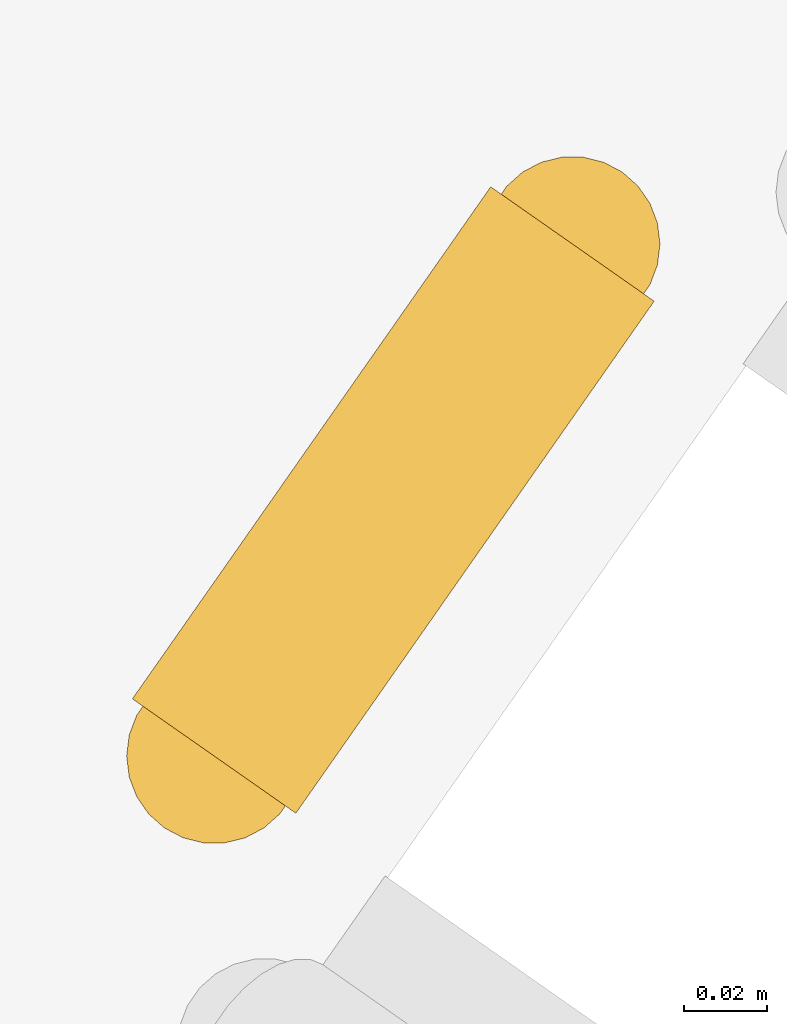
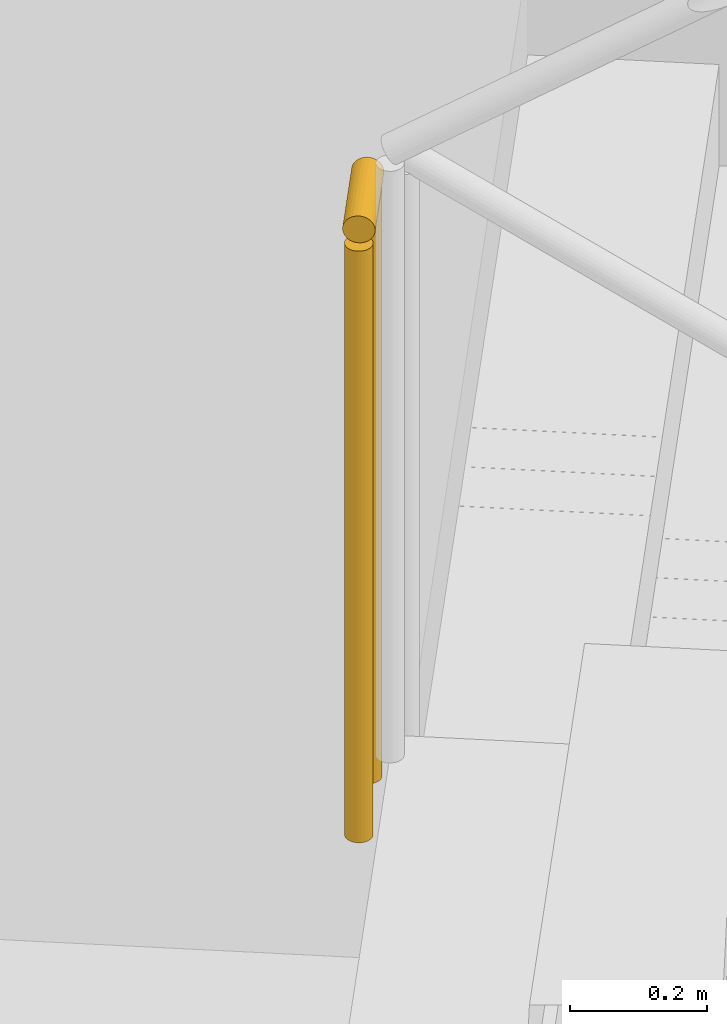
# One storey, part 23 of 25: 1 railing.
"""IFC4 building model written with IfcOpenShell, lengths in metres."""

from ifc_helpers import new_model, si_unit, direction, frame, origin, origin_2d, place, context, subcontext, project, spatial, circle, extrude, material, type_object, element, save


model = new_model("IFC4")

# Units and contexts
model_context = context("Model", 3, precision=1e-05, world=origin(), true_north=direction((0.0, 1.0)))
body_context = subcontext(model_context, "Body", "Model", "MODEL_VIEW")
ifc_project = project(units=[si_unit("LENGTHUNIT", "METRE"), si_unit("AREAUNIT", "SQUARE_METRE"), si_unit("VOLUMEUNIT", "CUBIC_METRE"), si_unit("PLANEANGLEUNIT", "RADIAN"), si_unit("MASSUNIT", "GRAM", prefix="KILO")], contexts=[model_context])

# Site, building, storey
site_placement = place(None, origin())
site = spatial("IfcSite", under=ifc_project, at=site_placement, CompositionType="ELEMENT")
building_placement = place(site_placement, origin())
building = spatial("IfcBuilding", under=site, at=building_placement, Name="Tel Ilan Convention Tower", CompositionType="ELEMENT")
storey_placement = place(building_placement, frame((0.0, 0.0, 54.5)))
storey = spatial("IfcBuildingStorey", under=building, at=storey_placement, Name="L08", CompositionType="ELEMENT", Elevation=54.5)

# Railing
ifc_material = material(Name="Stainless Steel Grade 316", Category="steel")
railing_type = type_object("IfcRailingType", Name="Stainless Steel Stair Guard 1100 mm", PredefinedType="GUARDRAIL", material=ifc_material)
railing_placement = place(storey_placement, frame((18.762939453125, -10.391357421875, 1.800048828125)))
element("IfcRailing", 1, at=railing_placement, inside=storey, type_object=railing_type, Name="L08 S4 stair guard 2", PredefinedType="GUARDRAIL", context=body_context, shape_type="SweptSolid", body=[
    extrude(circle(Radius=0.02392578125, at=origin_2d()), frame((0.0, 0.0, 1.076171875), z_axis=(-0.573353020881, -0.819308436089, 0.0), x_axis=(0.819308436089, -0.573353020881, 0.0)), (0.0, 0.0, 1.0), 0.14990234375),
    extrude(circle(Radius=0.02099609375, at=origin_2d()), origin(), (0.0, 0.0, 1.0), 1.052001953125),
    extrude(circle(Radius=0.02099609375, at=origin_2d()), frame((-0.0859375, -0.122802734375, 0.0)), (0.0, 0.0, 1.0), 1.052001953125),
])

save(model, "model.ifc")
